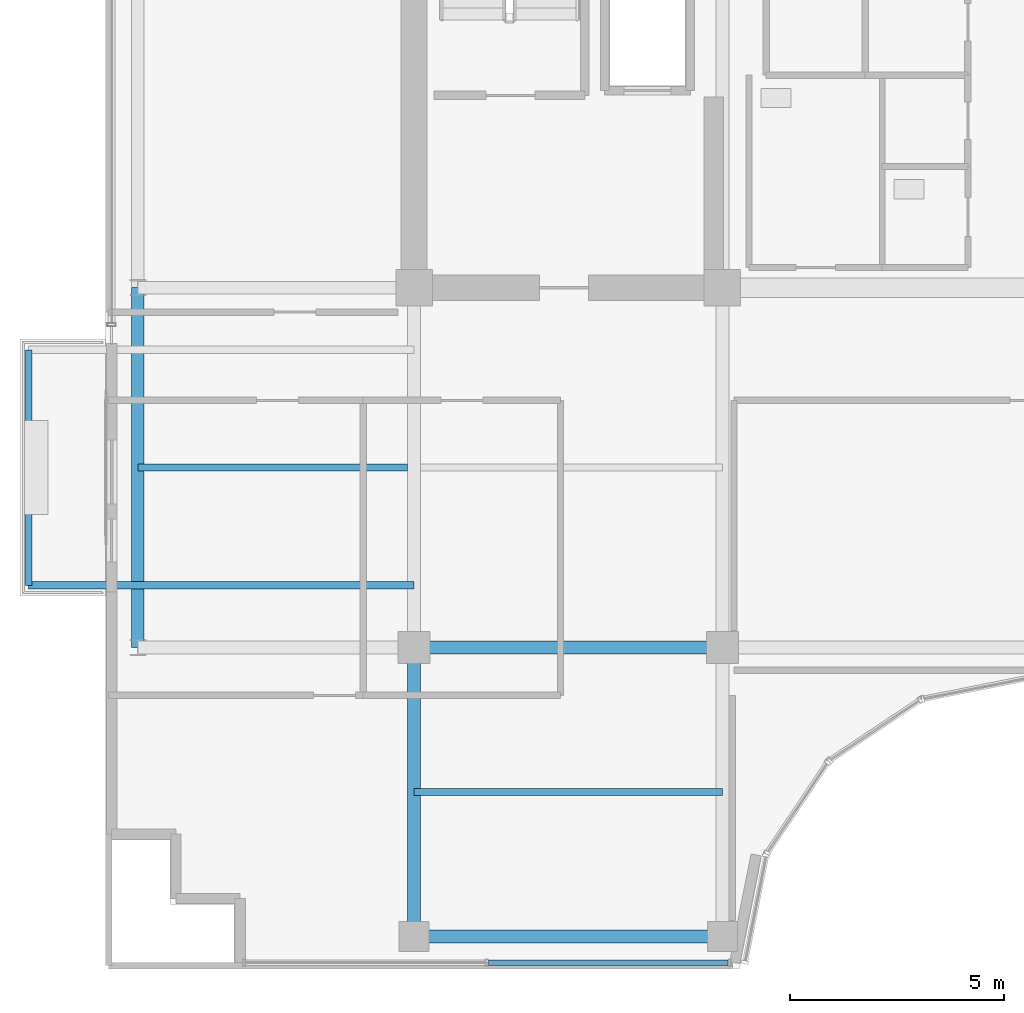
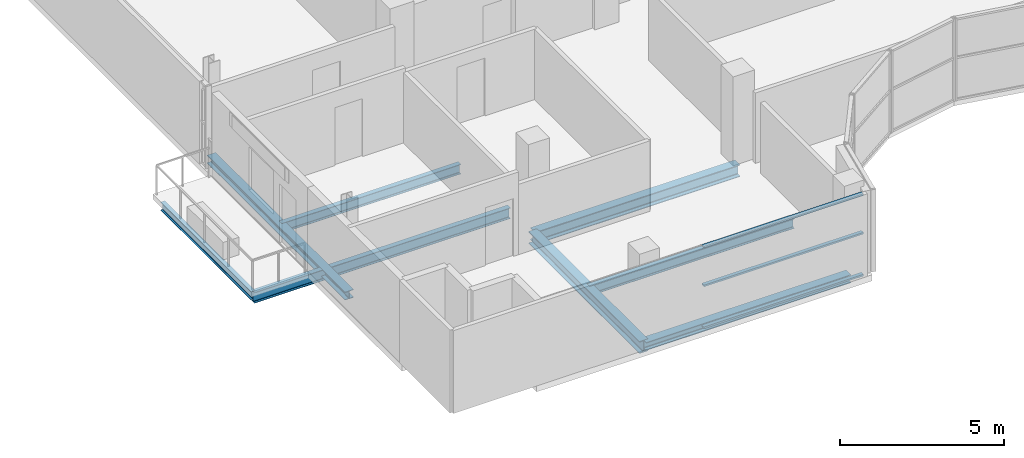
# One storey, part 3 of 28: 8 beams, 3 members, 1 element without a shape of its own.
"""IFC4 building model written with IfcOpenShell, lengths in metres."""

from ifc_helpers import new_model, si_unit, direction, frame, origin, origin_2d, place, context, subcontext, project, spatial, hollow_rectangle, i_section, extrude, source, transform, mapped, material, layer, layer_set, material_profile, profile_set, type_object, element, aggregate, save


model = new_model("IFC4")

# Units and contexts
model_context = context("Model", 3, precision=1e-05, world=origin(), true_north=direction((0.0, 1.0)))
body_context = subcontext(model_context, "Body", "Model", "MODEL_VIEW")
ifc_project = project(units=[si_unit("LENGTHUNIT", "METRE"), si_unit("AREAUNIT", "SQUARE_METRE"), si_unit("VOLUMEUNIT", "CUBIC_METRE"), si_unit("PLANEANGLEUNIT", "RADIAN"), si_unit("MASSUNIT", "GRAM", prefix="KILO")], contexts=[model_context])

# Site, building, storey
site_placement = place(None, origin())
site = spatial("IfcSite", under=ifc_project, at=site_placement, CompositionType="ELEMENT")
building_placement = place(site_placement, origin())
building = spatial("IfcBuilding", under=site, at=building_placement, Name="Zarnakvel Exchange Tower", CompositionType="ELEMENT")
storey_placement = place(building_placement, frame((0.0, 0.0, 261.699951171875)))
storey = spatial("IfcBuildingStorey", under=building, at=storey_placement, Name="L74", CompositionType="ELEMENT", Elevation=261.699951171875)

# Beams
ifc_material_1 = material(Name="Steel S355", Category="steel")
ifc_material_profile_1 = material_profile(ifc_material_1, i_section(OverallWidth=0.179931640625, OverallDepth=0.39990234375, WebThickness=0.008544921875, FlangeThickness=0.013427734375, FilletRadius=0.02099609375, at=origin_2d()))
ifc_profile_set_1 = profile_set([ifc_material_profile_1], Name="Steel S355")
beam_type_1 = type_object("IfcBeamType", Name="B-06", PredefinedType="JOIST", material=ifc_profile_set_1)
beam_1_placement = place(storey_placement, frame((-14.39990234375, -8.14990234375, -0.425048828125), z_axis=(-1.0, 0.0, 0.0), x_axis=(0.0, -1.0, 0.0)))
element("IfcBeam", 1, at=beam_1_placement, inside=storey, type_object=beam_type_1, Name="L74 Continuous West Loggia Beam S", PredefinedType="JOIST", context=body_context, shape_type="SweptSolid", body=[
    extrude(i_section(OverallWidth=0.179931640625, OverallDepth=0.39990234375, WebThickness=0.008544921875, FlangeThickness=0.013427734375, FilletRadius=0.02099609375, at=origin_2d()), origin(), (0.0, 0.0, 1.0), 9.0),
])
ifc_material_profile_2 = material_profile(ifc_material_1, i_section(OverallWidth=0.169921875, OverallDepth=0.360107421875, WebThickness=0.008056640625, FlangeThickness=0.0126953125, FilletRadius=0.01806640625, at=origin_2d()))
ifc_profile_set_2 = profile_set([ifc_material_profile_2], Name="Steel S355")
beam_type_2 = type_object("IfcBeamType", Name="B-07", PredefinedType="JOIST", material=ifc_profile_set_2)
beam_2_placement = place(storey_placement, frame((-14.39990234375, -12.97509765625, -0.405029296875), z_axis=(1.0, 0.0, 0.0), x_axis=(0.0, 1.0, 0.0)))
element("IfcBeam", 2, at=beam_2_placement, inside=storey, type_object=beam_type_2, Name="L74 Composite Floor Secondary Joist", PredefinedType="JOIST", context=body_context, shape_type="SweptSolid", body=[
    extrude(i_section(OverallWidth=0.169921875, OverallDepth=0.360107421875, WebThickness=0.008056640625, FlangeThickness=0.0126953125, FilletRadius=0.01806640625, at=origin_2d()), origin(), (0.0, 0.0, 1.0), 7.199951171875),
])
beam_3_placement = place(storey_placement, frame((-20.85009765625, -5.39990234375, -0.405029296875), z_axis=(1.0, 0.0, 0.0), x_axis=(0.0, 1.0, 0.0)))
element("IfcBeam", 3, at=beam_3_placement, inside=storey, type_object=beam_type_2, Name="L74 Composite Floor Secondary Joist", PredefinedType="JOIST", context=body_context, shape_type="SweptSolid", body=[
    extrude(i_section(OverallWidth=0.169921875, OverallDepth=0.360107421875, WebThickness=0.008056640625, FlangeThickness=0.0126953125, FilletRadius=0.01806640625, at=origin_2d()), origin(), (0.0, 0.0, 1.0), 6.300048828125),
])
ifc_material_profile_3 = material_profile(ifc_material_1, i_section(OverallWidth=0.14990234375, OverallDepth=0.300048828125, WebThickness=0.007080078125, FlangeThickness=0.0107421875, FilletRadius=0.014892578125, at=origin_2d()))
ifc_profile_set_3 = profile_set([ifc_material_profile_3], Name="Steel S355")
beam_type_3 = type_object("IfcBeamType", Name="B-08", PredefinedType="JOIST", material=ifc_profile_set_3)
beam_4_placement = place(storey_placement, frame((-23.39990234375, -8.14990234375, -0.375), z_axis=(0.0, 1.0, 0.0), x_axis=(-1.0, 0.0, 0.0)))
element("IfcBeam", 4, at=beam_4_placement, inside=storey, type_object=beam_type_3, Name="L74 West Loggia Edge Beam", PredefinedType="JOIST", context=body_context, shape_type="SweptSolid", body=[
    extrude(i_section(OverallWidth=0.14990234375, OverallDepth=0.300048828125, WebThickness=0.007080078125, FlangeThickness=0.0107421875, FilletRadius=0.014892578125, at=origin_2d()), origin(), (0.0, 0.0, 1.0), 5.5),
])
ifc_material_profile_4 = material_profile(ifc_material_1, i_section(OverallWidth=0.300048828125, OverallDepth=0.449951171875, WebThickness=0.013916015625, FlangeThickness=0.02587890625, FilletRadius=0.027099609375, at=origin_2d()))
ifc_profile_set_4 = profile_set([ifc_material_profile_4], Name="Steel S355")
beam_type_4 = type_object("IfcBeamType", Name="G-07", PredefinedType="BEAM", material=ifc_profile_set_4)
beam_5_placement = place(storey_placement, frame((-14.39990234375, -9.60009765625, -0.449951171875), z_axis=(1.0, 0.0, 0.0), x_axis=(0.0, 1.0, 0.0)))
element("IfcBeam", 5, at=beam_5_placement, inside=storey, type_object=beam_type_4, Name="L74 Tower E-W Frame Beam", PredefinedType="BEAM", context=body_context, shape_type="SweptSolid", body=[
    extrude(i_section(OverallWidth=0.300048828125, OverallDepth=0.449951171875, WebThickness=0.013916015625, FlangeThickness=0.02587890625, FilletRadius=0.027099609375, at=origin_2d()), origin(), (0.0, 0.0, 1.0), 7.199951171875),
])
beam_6_placement = place(storey_placement, frame((-14.39990234375, -16.35009765625, -0.449951171875), z_axis=(0.0, 1.0, 0.0), x_axis=(-1.0, 0.0, 0.0)))
element("IfcBeam", 6, at=beam_6_placement, inside=storey, type_object=beam_type_4, Name="L74 Tower N-S Frame Beam", PredefinedType="BEAM", context=body_context, shape_type="SweptSolid", body=[
    extrude(i_section(OverallWidth=0.300048828125, OverallDepth=0.449951171875, WebThickness=0.013916015625, FlangeThickness=0.02587890625, FilletRadius=0.027099609375, at=origin_2d()), origin(), (0.0, 0.0, 1.0), 6.75),
])
ifc_material_profile_5 = material_profile(ifc_material_1, i_section(OverallWidth=0.300048828125, OverallDepth=0.300048828125, WebThickness=0.010986328125, FlangeThickness=0.01904296875, FilletRadius=0.027099609375, at=origin_2d()))
ifc_profile_set_5 = profile_set([ifc_material_profile_5], Name="Steel S355")
beam_type_5 = type_object("IfcBeamType", Name="SP-03", PredefinedType="SPANDREL", material=ifc_profile_set_5)
beam_7_placement = place(storey_placement, frame((-14.39990234375, -16.35009765625, -0.375), z_axis=(1.0, 0.0, 0.0), x_axis=(0.0, 1.0, 0.0)))
element("IfcBeam", 7, at=beam_7_placement, inside=storey, type_object=beam_type_5, Name="L74 Tower E-W Frame Beam", PredefinedType="SPANDREL", context=body_context, shape_type="SweptSolid", body=[
    extrude(i_section(OverallWidth=0.300048828125, OverallDepth=0.300048828125, WebThickness=0.010986328125, FlangeThickness=0.01904296875, FilletRadius=0.027099609375, at=origin_2d()), origin(), (0.0, 0.0, 1.0), 7.199951171875),
])
beam_8_placement = place(storey_placement, frame((-20.85009765625, -9.60009765625, -0.375), z_axis=(0.0, 1.0, 0.0), x_axis=(-1.0, 0.0, 0.0)))
element("IfcBeam", 8, at=beam_8_placement, inside=storey, type_object=beam_type_5, Name="L74 Tower N-S Frame Beam", PredefinedType="SPANDREL", context=body_context, shape_type="SweptSolid", body=[
    extrude(i_section(OverallWidth=0.300048828125, OverallDepth=0.300048828125, WebThickness=0.010986328125, FlangeThickness=0.01904296875, FilletRadius=0.027099609375, at=origin_2d()), origin(), (0.0, 0.0, 1.0), 8.400146484375),
])

# Curtain wall, members
ifc_material_2 = material(Name="Architectural Bronze Anodised Aluminium", Category="aluminium")
ifc_layer = layer(ifc_material_2, 0.159912109375)
ifc_layer_set = layer_set([ifc_layer], Name="Architectural Bronze Anodised Aluminium")
curtain_wall_type = type_object("IfcCurtainWallType", Name="CW-06", PredefinedType="NOTDEFINED", material=ifc_layer_set)
curtain_wall_placement = place(storey_placement, origin())
curtain_wall = element("IfcCurtainWall", 9, at=curtain_wall_placement, inside=storey, type_object=curtain_wall_type, Name="L74 Curtain Wall CW-L74-NSW (CW-06)", PredefinedType="NOTDEFINED")
ifc_material_profile_6 = material_profile(ifc_material_2, hollow_rectangle(XDim=0.1298828125, YDim=0.06494140625, WallThickness=0.00390625, at=origin_2d()))
ifc_profile_set_6 = profile_set([ifc_material_profile_6], Name="Architectural Bronze Anodised Aluminium")
member_type = type_object("IfcMemberType", Name="CWT-06", PredefinedType="USERDEFINED", material=ifc_profile_set_6)
shared_shape = source(origin(), body_context, "Body", "SweptSolid", [
    extrude(hollow_rectangle(XDim=0.1298828125, YDim=0.06494140625, WallThickness=0.00390625, at=origin_2d()), origin(), (0.0, 0.0, 1.0), 5.6025390625),
])
member_1_placement = place(storey_placement, frame((-12.66748046875, -16.9599609375, 0.032470703125), z_axis=(1.0, 0.0, 0.0), x_axis=(0.0, 1.0, 0.0)))
member_1 = element("IfcMember", 10, at=member_1_placement, type_object=member_type, Name="CW-06 transom 2.1", ObjectType="TRANSOM", PredefinedType="USERDEFINED", context=body_context, shape_type="MappedRepresentation", body=[
    mapped(shared_shape, transform((0.0, 0.0, 0.0), x_axis=(1.0, 0.0, 0.0), y_axis=(0.0, 1.0, 0.0), z_axis=(0.0, 0.0, 1.0), scale=1.0)),
])
member_2_placement = place(storey_placement, frame((-12.66748046875, -16.9599609375, 1.588623046875), z_axis=(1.0, 0.0, 0.0), x_axis=(0.0, 1.0, 0.0)))
member_2 = element("IfcMember", 11, at=member_2_placement, type_object=member_type, Name="CW-06 transom 2.2", ObjectType="TRANSOM", PredefinedType="USERDEFINED", context=body_context, shape_type="MappedRepresentation", body=[
    mapped(shared_shape, transform((0.0, 0.0, 0.0), x_axis=(1.0, 0.0, 0.0), y_axis=(0.0, 1.0, 0.0), z_axis=(0.0, 0.0, 1.0), scale=1.0)),
])
member_3_placement = place(storey_placement, frame((-12.66748046875, -16.9599609375, 3.0224609375), z_axis=(1.0, 0.0, 0.0), x_axis=(0.0, 1.0, 0.0)))
member_3 = element("IfcMember", 12, at=member_3_placement, type_object=member_type, Name="CW-06 transom 2.3", ObjectType="TRANSOM", PredefinedType="USERDEFINED", context=body_context, shape_type="MappedRepresentation", body=[
    mapped(shared_shape, transform((0.0, 0.0, 0.0), x_axis=(1.0, 0.0, 0.0), y_axis=(0.0, 1.0, 0.0), z_axis=(0.0, 0.0, 1.0), scale=1.0)),
])
aggregate(curtain_wall, [member_1, member_2, member_3])

save(model, "model.ifc")
